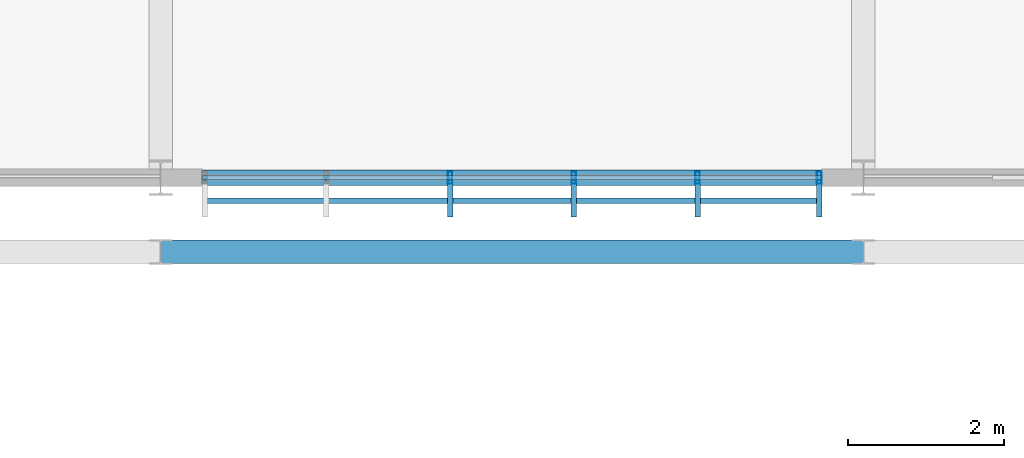
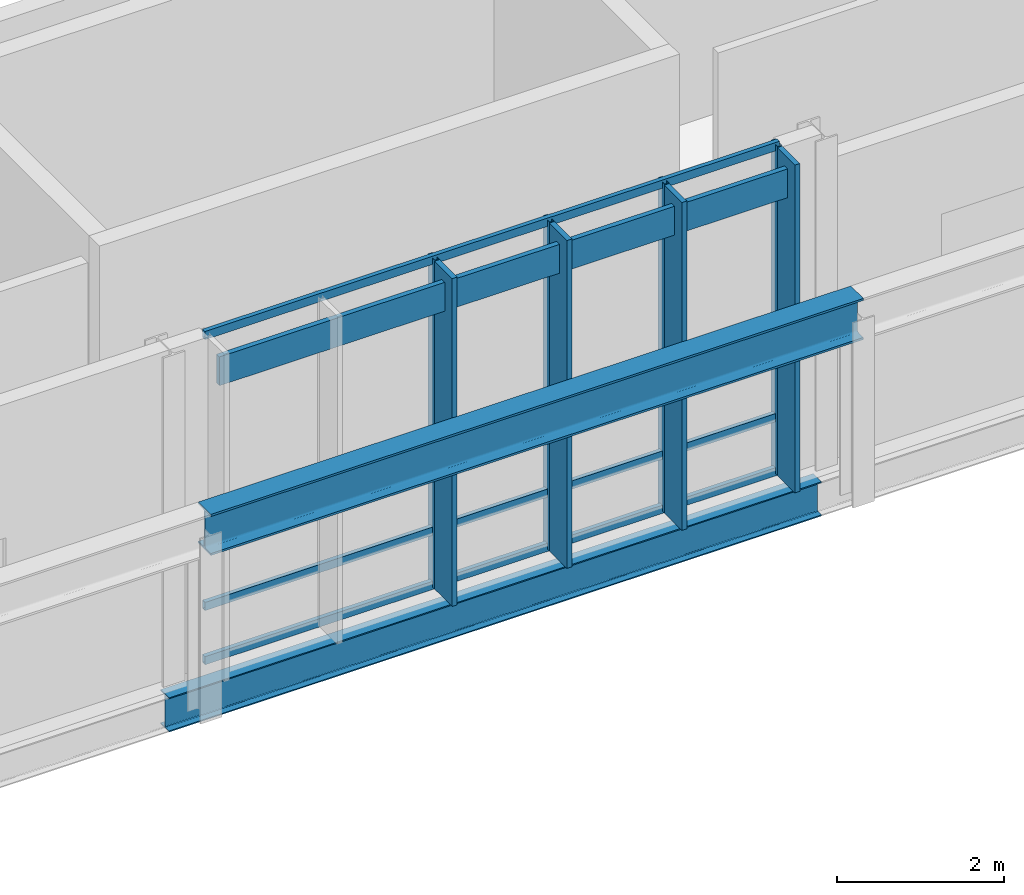
# One storey, part 112 of 177: 12 members, 2 beams, 1 element without a shape of its own.
"""IFC4 building model written with IfcOpenShell, lengths in metres."""

from ifc_helpers import new_model, si_unit, direction, frame, origin, origin_2d, place, context, subcontext, project, spatial, rectangle, hollow_rectangle, i_section, extrude, material, material_profile, profile_set, type_object, element, aggregate, save


model = new_model("IFC4")

# Units and contexts
model_context = context("Model", 3, precision=1e-05, world=origin(), true_north=direction((0.0, 1.0)))
body_context = subcontext(model_context, "Body", "Model", "MODEL_VIEW")
ifc_project = project(units=[si_unit("LENGTHUNIT", "METRE"), si_unit("AREAUNIT", "SQUARE_METRE"), si_unit("VOLUMEUNIT", "CUBIC_METRE"), si_unit("PLANEANGLEUNIT", "RADIAN"), si_unit("MASSUNIT", "GRAM", prefix="KILO")], contexts=[model_context])

# Site, building, storey
site_placement = place(None, origin())
site = spatial("IfcSite", under=ifc_project, at=site_placement, CompositionType="ELEMENT")
building_placement = place(site_placement, origin())
building = spatial("IfcBuilding", under=site, at=building_placement, Name="Chiffa Square Polytechnic", CompositionType="ELEMENT")
storey_placement = place(building_placement, frame((0.0, 0.0, 4.800048828125)))
storey = spatial("IfcBuildingStorey", under=building, at=storey_placement, Name="L01", CompositionType="ELEMENT", Elevation=4.800048828125)

# Beams
ifc_material_1 = material(Name="Steel S355", Category="steel")
ifc_material_profile_1 = material_profile(ifc_material_1, i_section(OverallWidth=0.199951171875, OverallDepth=0.5, WebThickness=0.01025390625, FlangeThickness=0.01611328125, FilletRadius=0.02099609375, at=origin_2d()), Name="IPE 500")
ifc_profile_set_1 = profile_set([ifc_material_profile_1], Name="Steel S355")
beam_type_1 = type_object("IfcBeamType", Name="BM-STL-IPE500", PredefinedType="BEAM", material=ifc_profile_set_1)
beam_1_placement = place(storey_placement, frame((157.199951171875, 87.0, -0.530029296875), z_axis=(1.0, 0.0, 0.0), x_axis=(0.0, 1.0, 0.0)))
element("IfcBeam", 1, at=beam_1_placement, inside=storey, type_object=beam_type_1, Name="Primary floor girder BM-V2-L01-X-1572-0870", PredefinedType="BEAM", context=body_context, shape_type="SweptSolid", body=[
    extrude(i_section(OverallWidth=0.199951171875, OverallDepth=0.5, WebThickness=0.01025390625, FlangeThickness=0.01611328125, FilletRadius=0.02099609375, at=origin_2d()), origin(), (0.0, 0.0, 1.0), 9.0),
])
ifc_material_profile_2 = material_profile(ifc_material_1, i_section(OverallWidth=0.300048828125, OverallDepth=0.60009765625, WebThickness=0.015380859375, FlangeThickness=0.030029296875, FilletRadius=0.027099609375, at=origin_2d()), Name="HEB 600")
ifc_profile_set_2 = profile_set([ifc_material_profile_2], Name="Steel S355")
beam_type_2 = type_object("IfcBeamType", Name="CG-STL-HEB600", PredefinedType="USERDEFINED", material=ifc_profile_set_2)
beam_2_placement = place(storey_placement, frame((157.199951171875, 86.050048828125, 2.699951171875), z_axis=(1.0, 0.0, 0.0), x_axis=(0.0, 1.0, 0.0)))
element("IfcBeam", 2, at=beam_2_placement, inside=storey, type_object=beam_type_2, Name="Bridge crane runway girder CG-V2-L01-N06", ObjectType="CRANE GIRDER", PredefinedType="USERDEFINED", context=body_context, shape_type="SweptSolid", body=[
    extrude(i_section(OverallWidth=0.300048828125, OverallDepth=0.60009765625, WebThickness=0.015380859375, FlangeThickness=0.030029296875, FilletRadius=0.027099609375, at=origin_2d()), origin(), (0.0, 0.0, 1.0), 9.0),
])

# Curtain wall, members
ifc_material_2 = material(Name="Aluminium EN AW-6060 T66 and glulam shading", Category="wood")
curtain_wall_type = type_object("IfcCurtainWallType", Name="CW-VERT-360X380", PredefinedType="USERDEFINED", material=ifc_material_2)
curtain_wall_placement = place(storey_placement, origin())
curtain_wall = element("IfcCurtainWall", 3, at=curtain_wall_placement, inside=storey, type_object=curtain_wall_type, Name="Curtain wall CW-V2-L01-149", ObjectType="CURTAIN WALL", PredefinedType="USERDEFINED")
ifc_material_3 = material(Name="Aluminium EN AW-6060 T66", Category="aluminium")
ifc_material_profile_3 = material_profile(ifc_material_3, hollow_rectangle(XDim=0.06005859375, YDim=0.159912109375, WallThickness=0.00390625, at=origin_2d()), Name="ALU 60x160x4")
ifc_profile_set_3 = profile_set([ifc_material_profile_3], Name="Aluminium EN AW-6060 T66")
member_type_1 = type_object("IfcMemberType", Name="CWM-ALU-65X150", PredefinedType="MULLION", material=ifc_profile_set_3)
member_1_placement = place(storey_placement, frame((160.907958984375, 87.0, 0.0), z_axis=(0.0, 0.0, 1.0), x_axis=(1.0, 0.0, 0.0)))
member_1 = element("IfcMember", 4, at=member_1_placement, type_object=member_type_1, Name="Curtain wall mullion CW-V2-L01-149-M02", PredefinedType="MULLION", context=body_context, shape_type="SweptSolid", body=[
    extrude(hollow_rectangle(XDim=0.06005859375, YDim=0.159912109375, WallThickness=0.00390625, at=origin_2d()), origin(), (0.0, 0.0, 1.0), 4.800048828125),
])
member_2_placement = place(storey_placement, frame((162.491943359375, 87.0, 0.0), z_axis=(0.0, 0.0, 1.0), x_axis=(1.0, 0.0, 0.0)))
member_2 = element("IfcMember", 5, at=member_2_placement, type_object=member_type_1, Name="Curtain wall mullion CW-V2-L01-149-M03", PredefinedType="MULLION", context=body_context, shape_type="SweptSolid", body=[
    extrude(hollow_rectangle(XDim=0.06005859375, YDim=0.159912109375, WallThickness=0.00390625, at=origin_2d()), origin(), (0.0, 0.0, 1.0), 4.800048828125),
])
member_3_placement = place(storey_placement, frame((164.075927734375, 87.0, 0.0), z_axis=(0.0, 0.0, 1.0), x_axis=(1.0, 0.0, 0.0)))
member_3 = element("IfcMember", 6, at=member_3_placement, type_object=member_type_1, Name="Curtain wall mullion CW-V2-L01-149-M04", PredefinedType="MULLION", context=body_context, shape_type="SweptSolid", body=[
    extrude(hollow_rectangle(XDim=0.06005859375, YDim=0.159912109375, WallThickness=0.00390625, at=origin_2d()), origin(), (0.0, 0.0, 1.0), 4.800048828125),
])
member_4_placement = place(storey_placement, frame((165.635009765625, 87.0, 0.0), z_axis=(0.0, 0.0, 1.0), x_axis=(1.0, 0.0, 0.0)))
member_4 = element("IfcMember", 7, at=member_4_placement, type_object=member_type_1, Name="Curtain wall mullion CW-V2-L01-149-M05", PredefinedType="MULLION", context=body_context, shape_type="SweptSolid", body=[
    extrude(hollow_rectangle(XDim=0.06005859375, YDim=0.159912109375, WallThickness=0.00390625, at=origin_2d()), origin(), (0.0, 0.0, 1.0), 4.800048828125),
])
ifc_material_4 = material(Name="Glulam GL28h", Category="wood")
ifc_material_profile_4 = material_profile(ifc_material_4, rectangle(XDim=0.070068359375, YDim=0.419921875, at=origin_2d()), Name="GL28h 70x420")
ifc_profile_set_4 = profile_set([ifc_material_profile_4], Name="Glulam GL28h")
member_type_2 = type_object("IfcMemberType", Name="CWM-GL-70X420", PredefinedType="MULLION", material=ifc_profile_set_4)
member_5_placement = place(storey_placement, frame((160.907958984375, 86.7080078125, 0.010009765625), z_axis=(0.0, 0.0, 1.0), x_axis=(1.0, 0.0, 0.0)))
member_5 = element("IfcMember", 8, at=member_5_placement, type_object=member_type_2, Name="Exterior glulam solar fin CW-V2-L01-149-FN02", PredefinedType="MULLION", context=body_context, shape_type="SweptSolid", body=[
    extrude(rectangle(XDim=0.070068359375, YDim=0.419921875, at=origin_2d()), origin(), (0.0, 0.0, 1.0), 4.780029296875),
])
member_6_placement = place(storey_placement, frame((162.491943359375, 86.7080078125, 0.010009765625), z_axis=(0.0, 0.0, 1.0), x_axis=(1.0, 0.0, 0.0)))
member_6 = element("IfcMember", 9, at=member_6_placement, type_object=member_type_2, Name="Exterior glulam solar fin CW-V2-L01-149-FN03", PredefinedType="MULLION", context=body_context, shape_type="SweptSolid", body=[
    extrude(rectangle(XDim=0.070068359375, YDim=0.419921875, at=origin_2d()), origin(), (0.0, 0.0, 1.0), 4.780029296875),
])
member_7_placement = place(storey_placement, frame((164.075927734375, 86.7080078125, 0.010009765625), z_axis=(0.0, 0.0, 1.0), x_axis=(1.0, 0.0, 0.0)))
member_7 = element("IfcMember", 10, at=member_7_placement, type_object=member_type_2, Name="Exterior glulam solar fin CW-V2-L01-149-FN04", PredefinedType="MULLION", context=body_context, shape_type="SweptSolid", body=[
    extrude(rectangle(XDim=0.070068359375, YDim=0.419921875, at=origin_2d()), origin(), (0.0, 0.0, 1.0), 4.780029296875),
])
member_8_placement = place(storey_placement, frame((165.635009765625, 86.7080078125, 0.010009765625), z_axis=(0.0, 0.0, 1.0), x_axis=(1.0, 0.0, 0.0)))
member_8 = element("IfcMember", 11, at=member_8_placement, type_object=member_type_2, Name="Exterior glulam solar fin CW-V2-L01-149-FN05", PredefinedType="MULLION", context=body_context, shape_type="SweptSolid", body=[
    extrude(rectangle(XDim=0.070068359375, YDim=0.419921875, at=origin_2d()), origin(), (0.0, 0.0, 1.0), 4.780029296875),
])
ifc_material_profile_5 = material_profile(ifc_material_3, hollow_rectangle(XDim=0.06005859375, YDim=0.1201171875, WallThickness=0.00390625, at=origin_2d()), Name="ALU 60x120x4")
ifc_profile_set_5 = profile_set([ifc_material_profile_5], Name="Aluminium EN AW-6060 T66")
member_type_3 = type_object("IfcMemberType", Name="CWT-ALU-65X120", PredefinedType="USERDEFINED", material=ifc_profile_set_5)
member_9_placement = place(storey_placement, frame((157.738037109375, 87.0, 0.030029296875), z_axis=(1.0, 0.0, 0.0), x_axis=(0.0, 1.0, 0.0)))
member_9 = element("IfcMember", 12, at=member_9_placement, type_object=member_type_3, Name="Curtain wall transom CW-V2-L01-149-T01", ObjectType="TRANSOM", PredefinedType="USERDEFINED", context=body_context, shape_type="SweptSolid", body=[
    extrude(hollow_rectangle(XDim=0.06005859375, YDim=0.1201171875, WallThickness=0.00390625, at=origin_2d()), origin(), (0.0, 0.0, 1.0), 7.924072265625),
])
member_10_placement = place(storey_placement, frame((157.738037109375, 87.0, 0.820068359375), z_axis=(1.0, 0.0, 0.0), x_axis=(0.0, 1.0, 0.0)))
member_10 = element("IfcMember", 13, at=member_10_placement, type_object=member_type_3, Name="Curtain wall transom CW-V2-L01-149-T02", ObjectType="TRANSOM", PredefinedType="USERDEFINED", context=body_context, shape_type="SweptSolid", body=[
    extrude(hollow_rectangle(XDim=0.06005859375, YDim=0.1201171875, WallThickness=0.00390625, at=origin_2d()), origin(), (0.0, 0.0, 1.0), 7.924072265625),
])
member_11_placement = place(storey_placement, frame((157.738037109375, 87.0, 4.77001953125), z_axis=(1.0, 0.0, 0.0), x_axis=(0.0, 1.0, 0.0)))
member_11 = element("IfcMember", 14, at=member_11_placement, type_object=member_type_3, Name="Curtain wall transom CW-V2-L01-149-T03", ObjectType="TRANSOM", PredefinedType="USERDEFINED", context=body_context, shape_type="SweptSolid", body=[
    extrude(hollow_rectangle(XDim=0.06005859375, YDim=0.1201171875, WallThickness=0.00390625, at=origin_2d()), origin(), (0.0, 0.0, 1.0), 7.924072265625),
])
ifc_material_profile_6 = material_profile(ifc_material_4, rectangle(XDim=0.070068359375, YDim=0.419921875, at=origin_2d()), Name="GL28h 70x420")
ifc_profile_set_6 = profile_set([ifc_material_profile_6], Name="Glulam GL28h")
member_type_4 = type_object("IfcMemberType", Name="CWT-GL-70X420", PredefinedType="USERDEFINED", material=ifc_profile_set_6)
member_12_placement = place(storey_placement, frame((157.764892578125, 86.7080078125, 4.419921875), z_axis=(1.0, 0.0, 0.0), x_axis=(0.0, 1.0, 0.0)))
member_12 = element("IfcMember", 15, at=member_12_placement, type_object=member_type_4, Name="Exterior glulam brise-soleil CW-V2-L01-149-BS01", ObjectType="TRANSOM", PredefinedType="USERDEFINED", context=body_context, shape_type="SweptSolid", body=[
    extrude(rectangle(XDim=0.070068359375, YDim=0.419921875, at=origin_2d()), origin(), (0.0, 0.0, 1.0), 7.8701171875),
])
aggregate(curtain_wall, [member_1, member_5, member_2, member_6, member_3, member_7, member_4, member_8, member_9, member_10, member_11, member_12])

save(model, "model.ifc")
